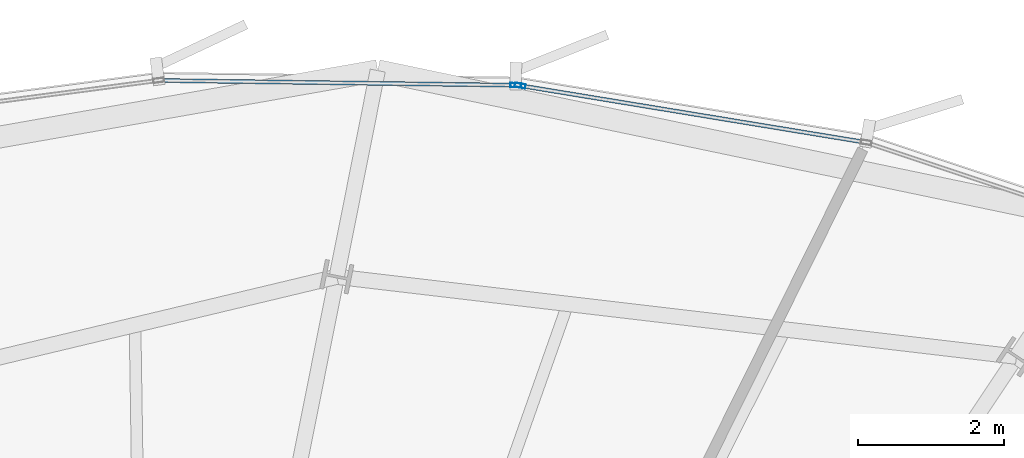
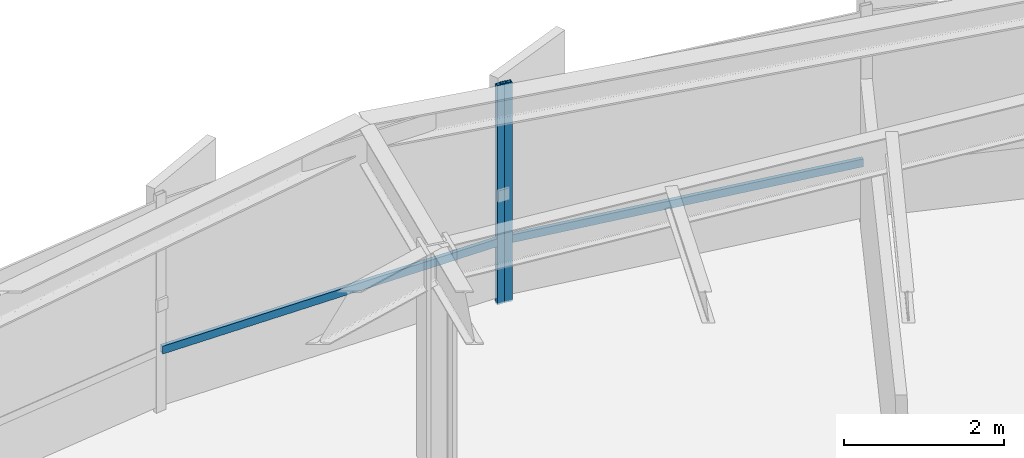
# One storey, part 25 of 33: 4 members, 2 elements without a shape of their own.
"""IFC4 building model written with IfcOpenShell, lengths in metres."""

from ifc_helpers import new_model, si_unit, direction, frame, origin, origin_2d, place, context, subcontext, project, spatial, hollow_rectangle, extrude, source, transform, mapped, material, layer, layer_set, material_profile, profile_set, type_object, element, aggregate, save


model = new_model("IFC4")

# Units and contexts
model_context = context("Model", 3, precision=1e-05, world=origin(), true_north=direction((0.0, 1.0)))
body_context = subcontext(model_context, "Body", "Model", "MODEL_VIEW")
ifc_project = project(units=[si_unit("LENGTHUNIT", "METRE"), si_unit("AREAUNIT", "SQUARE_METRE"), si_unit("VOLUMEUNIT", "CUBIC_METRE"), si_unit("PLANEANGLEUNIT", "RADIAN"), si_unit("MASSUNIT", "GRAM", prefix="KILO"), si_unit("THERMODYNAMICTEMPERATUREUNIT", "KELVIN")], contexts=[model_context])

# Site, building, storey
site_placement = place(None, origin())
site = spatial("IfcSite", under=ifc_project, at=site_placement, CompositionType="ELEMENT")
building_placement = place(site_placement, origin())
building = spatial("IfcBuilding", under=site, at=building_placement, Name="Kethvar Cultural Tower", CompositionType="ELEMENT")
storey_placement = place(building_placement, frame((0.0, 0.0, 114.39990234375)))
storey = spatial("IfcBuildingStorey", under=building, at=storey_placement, Name="L28", CompositionType="ELEMENT", Elevation=114.39990234375)

# Curtain wall, member
ifc_material = material(Name="Aluminium 6063-T6", Category="aluminium")
ifc_layer = layer(ifc_material, 0.179931640625, Name="Aluminium 6063-T6", Category="aluminium")
ifc_layer_set = layer_set([ifc_layer], Name="Aluminium 6063-T6 (180 mm)")
curtain_wall_type = type_object("IfcCurtainWallType", Name="CW-SYS-03-Z2", PredefinedType="NOTDEFINED", material=ifc_layer_set)
curtain_wall_1_placement = place(storey_placement, origin())
curtain_wall_1 = element("IfcCurtainWall", 1, at=curtain_wall_1_placement, inside=storey, type_object=curtain_wall_type, Name="L28 Curtain Wall Run 01", PredefinedType="NOTDEFINED")
ifc_material_profile_1 = material_profile(ifc_material, hollow_rectangle(XDim=0.06005859375, YDim=0.14990234375, WallThickness=0.0048828125, at=origin_2d()), Name="Aluminium 6063-T6 — RHS150x60x5")
ifc_profile_set_1 = profile_set([ifc_material_profile_1], Name="Aluminium 6063-T6 — RHS150x60x5")
member_type_1 = type_object("IfcMemberType", Name="CW-SYS-03-Z2-MUL", PredefinedType="MULLION", material=ifc_profile_set_1)
shared_shape_1 = source(origin(), body_context, "Body", "SweptSolid", [
    extrude(hollow_rectangle(XDim=0.06005859375, YDim=0.14990234375, WallThickness=0.0048828125, at=origin_2d()), origin(), (0.0, 0.0, 1.0), 3.35009765625),
])
member_1_placement = place(storey_placement, frame((53.5869140625, 51.88427734375, 0.0), z_axis=(0.0, 0.0, 1.0), x_axis=(-0.16213773775, -0.986768135885, 0.0)))
member_1 = element("IfcMember", 2, at=member_1_placement, type_object=member_type_1, Name="CW-L28-R01 Mullion 7", PredefinedType="MULLION", context=body_context, shape_type="MappedRepresentation", body=[
    mapped(shared_shape_1, transform((0.0, 0.0, 0.0), scale=1.0)),
])

curtain_wall_2_placement = place(storey_placement, origin())
curtain_wall_2 = element("IfcCurtainWall", 3, at=curtain_wall_2_placement, inside=storey, type_object=curtain_wall_type, Name="L28 Curtain Wall Run 02", PredefinedType="NOTDEFINED")
member_2_placement = place(storey_placement, frame((53.526611328125, 51.8896484375, 0.0), z_axis=(0.0, 0.0, 1.0), x_axis=(-0.01333392034, -0.999911099333, 0.0)))
member_2 = element("IfcMember", 4, at=member_2_placement, type_object=member_type_1, Name="CW-L28-R02 Mullion 1", PredefinedType="MULLION", context=body_context, shape_type="MappedRepresentation", body=[
    mapped(shared_shape_1, transform((0.0, 0.0, 0.0), scale=1.0)),
])

# Member
ifc_material_profile_2 = material_profile(ifc_material, hollow_rectangle(XDim=0.054931640625, YDim=0.1201171875, WallThickness=0.00390625, at=origin_2d()), Name="Aluminium 6063-T6 — RHS120x55x4")
ifc_profile_set_2 = profile_set([ifc_material_profile_2], Name="Aluminium 6063-T6 — RHS120x55x4")
member_type_2 = type_object("IfcMemberType", Name="CW-SYS-03-Z2-TRN", PredefinedType="USERDEFINED", material=ifc_profile_set_2)
shared_shape_2 = source(origin(), body_context, "Body", "SweptSolid", [
    extrude(hollow_rectangle(XDim=0.054931640625, YDim=0.1201171875, WallThickness=0.00390625, at=origin_2d()), origin(), (0.0, 0.0, 1.0), 4.770751953125),
])
member_3_placement = place(storey_placement, frame((58.298583984375, 51.110107421875, 0.9501953125), z_axis=(-0.986770279916, 0.162124688662, 0.0), x_axis=(-0.162124688662, -0.986770279916, 0.0)))
member_3 = element("IfcMember", 5, at=member_3_placement, type_object=member_type_2, Name="CW-L28-R01 Transom 6", ObjectType="TRANSOM", PredefinedType="USERDEFINED", context=body_context, shape_type="MappedRepresentation", body=[
    mapped(shared_shape_2, transform((0.0, 0.0, 0.0), scale=1.0)),
])

aggregate(curtain_wall_1, [member_1, member_3])

shared_shape_3 = source(origin(), body_context, "Body", "SweptSolid", [
    extrude(hollow_rectangle(XDim=0.054931640625, YDim=0.1201171875, WallThickness=0.00390625, at=origin_2d()), origin(), (0.0, 0.0, 1.0), 4.873779296875),
])
member_4_placement = place(storey_placement, frame((53.522216796875, 51.8896484375, 0.9501953125), z_axis=(-0.999911220877, 0.013324802603, 0.0), x_axis=(-0.013324802603, -0.999911220877, 0.0)))
member_4 = element("IfcMember", 6, at=member_4_placement, type_object=member_type_2, Name="CW-L28-R02 Transom 1", ObjectType="TRANSOM", PredefinedType="USERDEFINED", context=body_context, shape_type="MappedRepresentation", body=[
    mapped(shared_shape_3, transform((0.0, 0.0, 0.0), scale=1.0)),
])

aggregate(curtain_wall_2, [member_2, member_4])

save(model, "model.ifc")
